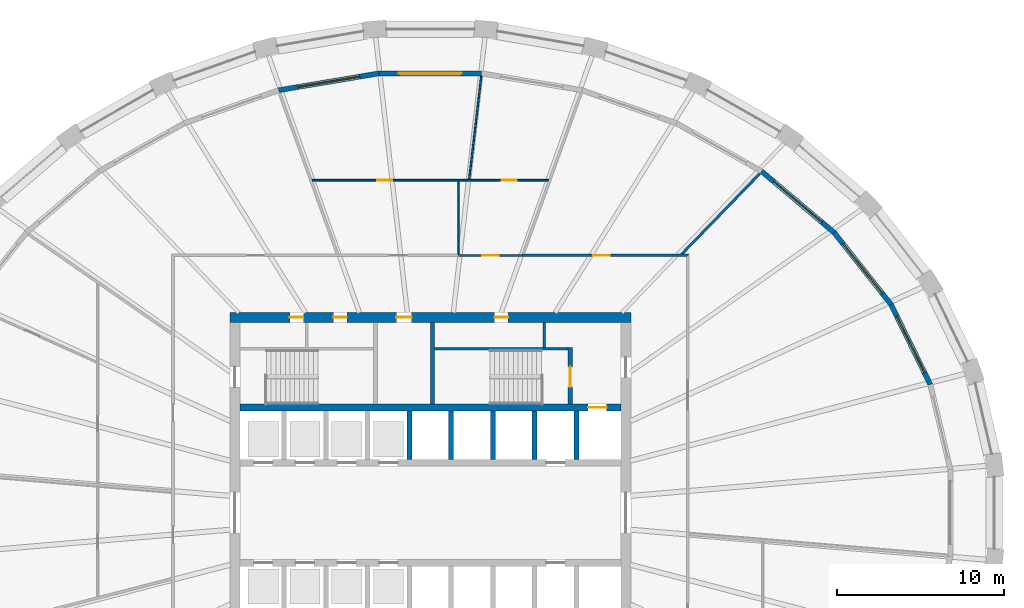
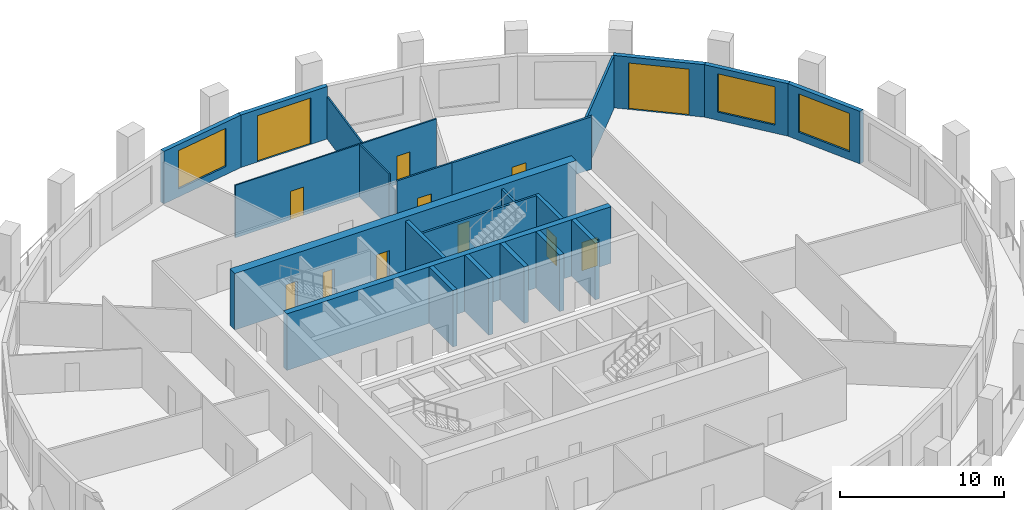
# One storey, part 6 of 10: 23 walls, 12 doors, 3 windows, 15 openings.
"""IFC4 building model written with IfcOpenShell, lengths in metres."""

from ifc_helpers import new_model, si_unit, direction, frame, frame_2d, origin, place, context, subcontext, project, spatial, polyline, rectangle, outline, extrude, material, layer, layer_set, type_object, element, fill, save


model = new_model("IFC4")

# Units and contexts
model_context = context("Model", 3, precision=1e-05, world=origin(), true_north=direction((0.0, 1.0)))
body_context = subcontext(model_context, "Body", "Model", "MODEL_VIEW")
ifc_project = project(units=[si_unit("LENGTHUNIT", "METRE"), si_unit("AREAUNIT", "SQUARE_METRE"), si_unit("VOLUMEUNIT", "CUBIC_METRE"), si_unit("PLANEANGLEUNIT", "RADIAN"), si_unit("MASSUNIT", "GRAM", prefix="KILO")], contexts=[model_context])

# Site, building, storey
site_placement = place(None, origin())
site = spatial("IfcSite", under=ifc_project, at=site_placement, CompositionType="ELEMENT")
building_placement = place(site_placement, origin())
building = spatial("IfcBuilding", under=site, at=building_placement, Name="Halqa Exchange Tower", CompositionType="ELEMENT")
storey_placement = place(building_placement, frame((0.0, 0.0, 159.10009765625)))
storey = spatial("IfcBuildingStorey", under=building, at=storey_placement, Name="L36", CompositionType="ELEMENT", Elevation=159.10009765625)

# Wall, opening, door
ifc_material_1 = material(Name="Fire-rated gypsum board")
ifc_layer_1 = layer(ifc_material_1, 0.14990234375)
ifc_layer_set_1 = layer_set([ifc_layer_1], Name="Fire-rated gypsum board")
wall_type_1 = type_object("IfcWallType", Name="Fire partition EI 60 150", PredefinedType="PARTITIONING", material=ifc_layer_set_1)
wall_1_placement = place(storey_placement, frame((5.530029296875, 15.39990234375, 0.0), z_axis=(0.0, 0.0, 1.0), x_axis=(1.0, 0.0, 0.0)))
wall_1 = element("IfcWall", 1, at=wall_1_placement, inside=storey, type_object=wall_type_1, Name="L36-PWL-020", PredefinedType="PARTITIONING", context=body_context, shape_type="SweptSolid", body=[
    extrude(outline(polyline([(0.0, -0.074951171875), (1.958984375, -0.074951171875), (3.91796875, -0.074951171875), (5.876953125, -0.074951171875), (7.8359375, -0.074951171875), (9.794921875, -0.074951171875), (9.94482421875, 0.074951171875), (7.955810546875, 0.074951171875), (5.966796875, 0.074951171875), (3.97802734375, 0.074951171875), (1.989013671875, 0.074951171875), (0.0, 0.074951171875), (0.0, -0.074951171875)])), origin(), (0.0, 0.0, 1.0), 3.89990234375),
])
opening_1_placement = place(wall_1_placement, frame((4.219970703125, 0.0, 0.0)))
opening_1 = element("IfcOpeningElement", 2, at=opening_1_placement, cuts=wall_1, Name="Opening 11-12", PredefinedType="OPENING", context=body_context, shape_type="SweptSolid", body=[
    extrude(rectangle(XDim=1.0, YDim=2.10009765625, at=frame_2d((0.5, 1.050048828125))), frame((0.0, 0.0869140625, 0.0), z_axis=(0.0, -1.0, 0.0), x_axis=(1.0, 0.0, 0.0)), (0.0, 0.0, 1.0), 0.173828125),
])
ifc_material_2 = material(Name="Steel fire door leaf", Category="steel")
door_type_1 = type_object("IfcDoorType", Name="Fire door FD30S 1000 x 2100", OperationType="SINGLE_SWING_LEFT", PredefinedType="DOOR", material=ifc_material_2)
door_1_placement = place(opening_1_placement, origin())
door_1 = element("IfcDoor", 3, at=door_1_placement, inside=storey, type_object=door_type_1, Name="L36-IDR-012", OperationType="SINGLE_SWING_RIGHT", OverallHeight=2.10009765625, OverallWidth=1.0, PredefinedType="DOOR", context=body_context, shape_type="SweptSolid", body=[
    extrude(rectangle(XDim=1.0, YDim=2.10009765625, at=frame_2d((0.5, 1.050048828125))), frame((0.0, 0.02490234375, 0.0), z_axis=(0.0, -1.0, 0.0), x_axis=(1.0, 0.0, 0.0)), (0.0, 0.0, 1.0), 0.050048828125),
])
fill(opening_1, door_1)

# Wall
wall_2_placement = place(storey_placement, frame((14.9921875, 15.423095703125, 0.0), z_axis=(0.0, 0.0, 1.0), x_axis=(0.696574400919, 0.71748456707, 0.0)))
element("IfcWall", 4, at=wall_2_placement, inside=storey, type_object=wall_type_1, Name="L36-PWL-021", PredefinedType="PARTITIONING", context=body_context, shape_type="SweptSolid", body=[
    extrude(outline(polyline([(0.0, 0.074951171875), (0.0, 0.074462890625), (0.14501953125, -0.074951171875), (1.8076171875, -0.074951171875), (3.47021484375, -0.074951171875), (5.132568359375, -0.074951171875), (6.795166015625, -0.074951171875), (6.795166015625, 0.074951171875), (5.096435546875, 0.074951171875), (3.3974609375, 0.074951171875), (1.69873046875, 0.074951171875), (0.0, 0.074951171875)])), origin(), (0.0, 0.0, 1.0), 3.89990234375),
])

# Wall, opening, door
ifc_material_3 = material(Name="Fire-rated glazing", Category="glass")
ifc_layer_2 = layer(ifc_material_3, 0.1201171875)
ifc_layer_set_2 = layer_set([ifc_layer_2], Name="Fire-rated glazing")
wall_type_2 = type_object("IfcWallType", Name="Glazed fire partition EI 60 120", PredefinedType="PARTITIONING", material=ifc_layer_set_2)
wall_3_placement = place(storey_placement, frame((1.679931640625, 15.39990234375, 0.0), z_axis=(0.0, 0.0, 1.0), x_axis=(1.0, 0.0, 0.0)))
wall_3 = element("IfcWall", 5, at=wall_3_placement, inside=storey, type_object=wall_type_2, Name="L36-PWL-016", PredefinedType="PARTITIONING", context=body_context, shape_type="SweptSolid", body=[
    extrude(rectangle(XDim=3.85009765625, YDim=0.1201171875, at=frame_2d((1.925048828125, 0.0))), origin(), (0.0, 0.0, 1.0), 3.89990234375),
])
opening_2_placement = place(wall_3_placement, frame((1.425048828125, 0.0, 0.0)))
opening_2 = element("IfcOpeningElement", 6, at=opening_2_placement, cuts=wall_3, Name="Opening 11-01", PredefinedType="OPENING", context=body_context, shape_type="SweptSolid", body=[
    extrude(rectangle(XDim=1.0, YDim=2.10009765625, at=frame_2d((0.5, 1.050048828125))), frame((0.0, 0.072021484375, 0.0), z_axis=(0.0, -1.0, 0.0), x_axis=(1.0, 0.0, 0.0)), (0.0, 0.0, 1.0), 0.14404296875),
])
door_2_placement = place(opening_2_placement, origin())
door_2 = element("IfcDoor", 7, at=door_2_placement, inside=storey, type_object=door_type_1, Name="L36-IDR-001", OperationType="SINGLE_SWING_LEFT", OverallHeight=2.10009765625, OverallWidth=1.0, PredefinedType="DOOR", context=body_context, shape_type="SweptSolid", body=[
    extrude(rectangle(XDim=1.0, YDim=2.10009765625, at=frame_2d((0.5, 1.050048828125))), frame((0.0, 0.02490234375, 0.0), z_axis=(0.0, -1.0, 0.0), x_axis=(1.0, 0.0, 0.0)), (0.0, 0.0, 1.0), 0.050048828125),
])
fill(opening_2, door_2)

# Wall, openings, doors
ifc_material_4 = material(Name="Gypsum board")
ifc_layer_3 = layer(ifc_material_4, 0.10009765625)
ifc_layer_set_3 = layer_set([ifc_layer_3], Name="Gypsum board")
wall_type_3 = type_object("IfcWallType", Name="Partition 100 gypsum", PredefinedType="PARTITIONING", material=ifc_layer_set_3)
wall_4_placement = place(storey_placement, frame((-7.08740234375, 19.89990234375, 0.0), z_axis=(0.0, 0.0, 1.0), x_axis=(1.0, 0.0, 0.0)))
wall_4 = element("IfcWall", 8, at=wall_4_placement, inside=storey, type_object=wall_type_3, Name="L36-PWL-013", PredefinedType="PARTITIONING", context=body_context, shape_type="SweptSolid", body=[
    extrude(outline(polyline([(0.03564453125, -0.050048828125), (1.77197265625, -0.050048828125), (3.50830078125, -0.050048828125), (5.24462890625, -0.050048828125), (6.98095703125, -0.050048828125), (8.71728515625, -0.050048828125), (8.71728515625, -0.0498046875), (8.8173828125, -0.0498046875), (8.8173828125, -0.050048828125), (10.59130859375, -0.050048828125), (12.365234375, -0.050048828125), (14.13916015625, -0.050048828125), (14.1748046875, 0.048583984375), (14.1748046875, 0.050048828125), (12.6044921875, 0.050048828125), (11.033935546875, 0.050048828125), (9.463623046875, 0.050048828125), (9.463623046875, 0.048828125), (9.45361328125, 0.050048828125), (7.56298828125, 0.050048828125), (5.672119140625, 0.050048828125), (3.781494140625, 0.050048828125), (1.890625, 0.050048828125), (0.0, 0.050048828125), (0.0, 0.048583984375), (0.03564453125, -0.050048828125)])), origin(), (0.0, 0.0, 1.0), 3.89990234375),
])
opening_3_placement = place(wall_4_placement, frame((3.902587890625, 0.0, 0.0)))
opening_3 = element("IfcOpeningElement", 9, at=opening_3_placement, cuts=wall_4, Name="Opening 11-13", PredefinedType="OPENING", context=body_context, shape_type="SweptSolid", body=[
    extrude(rectangle(XDim=0.89990234375, YDim=2.10009765625, at=frame_2d((0.449951171875, 1.050048828125))), frame((0.0, 0.06201171875, 0.0), z_axis=(0.0, -1.0, 0.0), x_axis=(1.0, 0.0, 0.0)), (0.0, 0.0, 1.0), 0.1240234375),
])
opening_4_placement = place(wall_4_placement, frame((11.37255859375, 0.0, 0.0)))
opening_4 = element("IfcOpeningElement", 10, at=opening_4_placement, cuts=wall_4, Name="Opening 11-14", PredefinedType="OPENING", context=body_context, shape_type="SweptSolid", body=[
    extrude(rectangle(XDim=0.89990234375, YDim=2.10009765625, at=frame_2d((0.449951171875, 1.050048828125))), frame((0.0, 0.06201171875, 0.0), z_axis=(0.0, -1.0, 0.0), x_axis=(1.0, 0.0, 0.0)), (0.0, 0.0, 1.0), 0.1240234375),
])
ifc_material_5 = material(Name="Timber door leaf", Category="wood")
door_type_2 = type_object("IfcDoorType", Name="Door 900 x 2100", OperationType="SINGLE_SWING_LEFT", PredefinedType="DOOR", material=ifc_material_5)
door_3_placement = place(opening_3_placement, frame((0.89990234375, 0.0, 0.0), z_axis=(0.0, 0.0, 1.0), x_axis=(-1.0, 0.0, 0.0)))
door_3 = element("IfcDoor", 11, at=door_3_placement, inside=storey, type_object=door_type_2, Name="L36-IDR-013", OperationType="SINGLE_SWING_LEFT", OverallHeight=2.10009765625, OverallWidth=0.89990234375, PredefinedType="DOOR", context=body_context, shape_type="SweptSolid", body=[
    extrude(rectangle(XDim=0.89990234375, YDim=2.10009765625, at=frame_2d((0.449951171875, 1.050048828125))), frame((0.0, 0.02490234375, 0.0), z_axis=(0.0, -1.0, 0.0), x_axis=(1.0, 0.0, 0.0)), (0.0, 0.0, 1.0), 0.050048828125),
])
fill(opening_3, door_3)
door_4_placement = place(opening_4_placement, frame((0.89990234375, 0.0, 0.0), z_axis=(0.0, 0.0, 1.0), x_axis=(-1.0, 0.0, 0.0)))
door_4 = element("IfcDoor", 12, at=door_4_placement, inside=storey, type_object=door_type_2, Name="L36-IDR-014", OperationType="SINGLE_SWING_RIGHT", OverallHeight=2.10009765625, OverallWidth=0.89990234375, PredefinedType="DOOR", context=body_context, shape_type="SweptSolid", body=[
    extrude(rectangle(XDim=0.89990234375, YDim=2.10009765625, at=frame_2d((0.449951171875, 1.050048828125))), frame((0.0, 0.02490234375, 0.0), z_axis=(0.0, -1.0, 0.0), x_axis=(1.0, 0.0, 0.0)), (0.0, 0.0, 1.0), 0.050048828125),
])
fill(opening_4, door_4)

# Walls
wall_5_placement = place(storey_placement, frame((1.679931640625, 15.46044921875, 0.0), z_axis=(0.0, 0.0, 1.0), x_axis=(0.0, 1.0, 0.0)))
element("IfcWall", 13, at=wall_5_placement, inside=storey, type_object=wall_type_3, Name="L36-PWL-015", PredefinedType="PARTITIONING", context=body_context, shape_type="SweptSolid", body=[
    extrude(outline(polyline([(0.776611328125, 0.050048828125), (0.0146484375, 0.050048828125), (0.0146484375, 0.0), (0.0, 0.0), (0.0, -0.050048828125), (0.776611328125, -0.050048828125), (0.776611328125, 0.050048828125)])), origin(), (0.0, 0.0, 1.0), 3.14697265625),
])
wall_6_placement = place(storey_placement, frame((2.3251953125, 19.944091796875, 0.0), z_axis=(0.0, 0.0, 1.0), x_axis=(0.116750504681, 0.993161275754, 0.0)))
element("IfcWall", 14, at=wall_6_placement, inside=storey, type_object=wall_type_3, Name="L36-PWL-017", PredefinedType="PARTITIONING", context=body_context, shape_type="SweptSolid", body=[
    extrude(outline(polyline([(6.244140625, -0.050048828125), (6.244140625, 0.027099609375), (6.241455078125, 0.050048828125), (4.68115234375, 0.050048828125), (3.120849609375, 0.050048828125), (1.560302734375, 0.050048828125), (0.0, 0.050048828125), (0.01171875, -0.050048828125), (1.56982421875, -0.050048828125), (3.1279296875, -0.050048828125), (4.68603515625, -0.050048828125), (6.244140625, -0.050048828125)])), origin(), (0.0, 0.0, 1.0), 3.14697265625),
])
wall_7_placement = place(storey_placement, frame((1.679931640625, 16.237060546875, 0.0), z_axis=(0.0, 0.0, 1.0), x_axis=(0.0, 1.0, 0.0)))
element("IfcWall", 15, at=wall_7_placement, inside=storey, type_object=wall_type_3, Name="L36-PWL-026", PredefinedType="PARTITIONING", context=body_context, shape_type="SweptSolid", body=[
    extrude(outline(polyline([(0.0, -0.050048828125), (1.806396484375, -0.050048828125), (3.613037109375, -0.050048828125), (3.613037109375, 0.050048828125), (1.806396484375, 0.050048828125), (0.0, 0.050048828125), (0.0, -0.050048828125)])), origin(), (0.0, 0.0, 1.0), 3.89990234375),
])
ifc_layer_4 = layer(ifc_material_4, 0.14990234375)
ifc_layer_set_4 = layer_set([ifc_layer_4], Name="Gypsum board")
wall_type_4 = type_object("IfcWallType", Name="Penthouse riser wall 150 gypsum", PredefinedType="PARTITIONING", material=ifc_layer_set_4)
wall_8_placement = place(storey_placement, frame((6.824951171875, 9.89990234375, 0.0), z_axis=(0.0, 0.0, 1.0), x_axis=(0.0, 1.0, 0.0)))
element("IfcWall", 16, at=wall_8_placement, inside=storey, type_object=wall_type_4, Name="Firefighting lobby west wall N", PredefinedType="PARTITIONING", context=body_context, shape_type="SweptSolid", body=[
    extrude(rectangle(XDim=1.5, YDim=0.14990234375, at=frame_2d((0.75, 0.0))), origin(), (0.0, 0.0, 1.0), 3.89990234375),
])
ifc_material_6 = material(Name="Concrete C60/75", Category="concrete")
ifc_layer_5 = layer(ifc_material_6, 0.300048828125)
ifc_layer_set_5 = layer_set([ifc_layer_5], Name="Concrete C60/75")
wall_type_5 = type_object("IfcWallType", Name="RC core wall 300", PredefinedType="SHEAR", material=ifc_layer_set_5)
for number, where, z_axis, x_axis, name in (
    (17, (-1.25, 3.199951171875, 0.0), (0.0, 0.0, 1.0), (0.0, 1.0, 0.0), "Shaft divider N4"),
    (18, (1.25, 3.199951171875, 0.0), (0.0, 0.0, 1.0), (0.0, 1.0, 0.0), "Shaft divider N5"),
    (19, (3.75, 3.199951171875, 0.0), (0.0, 0.0, 1.0), (0.0, 1.0, 0.0), "Shaft divider N6"),
    (20, (6.25, 3.199951171875, 0.0), (0.0, 0.0, 1.0), (0.0, 1.0, 0.0), "Shaft divider N7"),
    (21, (8.75, 3.199951171875, 0.0), (0.0, 0.0, 1.0), (0.0, 1.0, 0.0), "Shaft divider N8"),
):
    element("IfcWall", number, at=place(storey_placement, frame(where, z_axis=z_axis, x_axis=x_axis)), inside=storey, type_object=wall_type_5, Name=name, PredefinedType="SHEAR", context=body_context, shape_type="SweptSolid", body=[
        extrude(rectangle(XDim=2.900146484375, YDim=0.300048828125, at=frame_2d((1.4501953125, 0.0))), origin(), (0.0, 0.0, 1.0), 4.199951171875),
    ])

# Wall, opening, door
ifc_material_7 = material(Name="Concrete C70/85", Category="concrete")
ifc_layer_6 = layer(ifc_material_7, 0.39990234375)
ifc_layer_set_6 = layer_set([ifc_layer_6], Name="Concrete C70/85")
wall_type_6 = type_object("IfcWallType", Name="RC core wall 400 C70/85", PredefinedType="SHEAR", material=ifc_layer_set_6)
wall_9_placement = place(storey_placement, frame((-11.39990234375, 6.300048828125, 0.0), z_axis=(0.0, 0.0, 1.0), x_axis=(1.0, 0.0, 0.0)))
wall_9 = element("IfcWall", 22, at=wall_9_placement, inside=storey, type_object=wall_type_6, Name="Lift row back wall N", PredefinedType="SHEAR", context=body_context, shape_type="SweptSolid", body=[
    extrude(rectangle(XDim=22.7998046875, YDim=0.39990234375, at=frame_2d((11.39990234375, 0.0))), origin(), (0.0, 0.0, 1.0), 4.199951171875),
])
opening_5_placement = place(wall_9_placement, frame((20.85009765625, 0.0, 0.0)))
opening_5 = element("IfcOpeningElement", 23, at=opening_5_placement, cuts=wall_9, Name="Opening LD-FF1-T11", PredefinedType="OPENING", context=body_context, shape_type="SweptSolid", body=[
    extrude(rectangle(XDim=1.10009765625, YDim=2.10009765625, at=frame_2d((0.550048828125, 1.050048828125))), frame((0.0, 0.2119140625, 0.0), z_axis=(0.0, -1.0, 0.0), x_axis=(1.0, 0.0, 0.0)), (0.0, 0.0, 1.0), 0.423828125),
])
ifc_material_8 = material(Name="Stainless steel", Category="steel")
door_type_3 = type_object("IfcDoorType", Name="Lift landing door 1100 x 2100", OperationType="SLIDING_TO_LEFT", PredefinedType="DOOR", material=ifc_material_8)
door_5_placement = place(opening_5_placement, origin())
door_5 = element("IfcDoor", 24, at=door_5_placement, inside=storey, type_object=door_type_3, Name="Lift landing door FF1", OperationType="SLIDING_TO_LEFT", OverallHeight=2.10009765625, OverallWidth=1.10009765625, PredefinedType="DOOR", context=body_context, shape_type="SweptSolid", body=[
    extrude(rectangle(XDim=1.10009765625, YDim=2.10009765625, at=frame_2d((0.550048828125, 1.050048828125))), frame((0.0, 0.02490234375, 0.0), z_axis=(0.0, -1.0, 0.0), x_axis=(1.0, 0.0, 0.0)), (0.0, 0.0, 1.0), 0.050048828125),
])
fill(opening_5, door_5)

# Wall, openings, doors
ifc_layer_7 = layer(ifc_material_7, 0.60009765625)
ifc_layer_set_7 = layer_set([ifc_layer_7], Name="Concrete C70/85")
wall_type_7 = type_object("IfcWallType", Name="RC core wall 600 C70/85", PredefinedType="SHEAR", material=ifc_layer_set_7)
wall_10_placement = place(storey_placement, frame((-12.0, 11.699951171875, 0.0), z_axis=(0.0, 0.0, 1.0), x_axis=(1.0, 0.0, 0.0)))
wall_10 = element("IfcWall", 25, at=wall_10_placement, inside=storey, type_object=wall_type_7, Name="Core wall north", PredefinedType="SHEAR", context=body_context, shape_type="SweptSolid", body=[
    extrude(rectangle(XDim=24.0, YDim=0.60009765625, at=frame_2d((12.0, 0.0))), origin(), (0.0, 0.0, 1.0), 4.199951171875),
])
opening_6_placement = place(wall_10_placement, frame((9.97509765625, 0.0, 0.0)))
opening_6 = element("IfcOpeningElement", 26, at=opening_6_placement, cuts=wall_10, Name="Opening T11-C21", PredefinedType="OPENING", context=body_context, shape_type="SweptSolid", body=[
    extrude(rectangle(XDim=0.89990234375, YDim=2.10009765625, at=frame_2d((0.449951171875, 1.050048828125))), frame((0.0, 0.31201171875, 0.0), z_axis=(0.0, -1.0, 0.0), x_axis=(1.0, 0.0, 0.0)), (0.0, 0.0, 1.0), 0.6240234375),
])
opening_7_placement = place(wall_10_placement, frame((3.60009765625, 0.0, 0.0)))
opening_7 = element("IfcOpeningElement", 27, at=opening_7_placement, cuts=wall_10, Name="Opening T11-C22", PredefinedType="OPENING", context=body_context, shape_type="SweptSolid", body=[
    extrude(rectangle(XDim=0.800048828125, YDim=2.10009765625, at=frame_2d((0.39990234375, 1.050048828125))), frame((0.0, 0.31201171875, 0.0), z_axis=(0.0, -1.0, 0.0), x_axis=(1.0, 0.0, 0.0)), (0.0, 0.0, 1.0), 0.6240234375),
])
opening_8_placement = place(wall_10_placement, frame((6.199951171875, 0.0, 0.0)))
opening_8 = element("IfcOpeningElement", 28, at=opening_8_placement, cuts=wall_10, Name="Opening T11-C23", PredefinedType="OPENING", context=body_context, shape_type="SweptSolid", body=[
    extrude(rectangle(XDim=0.800048828125, YDim=2.10009765625, at=frame_2d((0.39990234375, 1.050048828125))), frame((0.0, 0.31201171875, 0.0), z_axis=(0.0, -1.0, 0.0), x_axis=(1.0, 0.0, 0.0)), (0.0, 0.0, 1.0), 0.6240234375),
])
opening_9_placement = place(wall_10_placement, frame((15.85009765625, 0.0, 0.0)))
opening_9 = element("IfcOpeningElement", 29, at=opening_9_placement, cuts=wall_10, Name="Opening T11-C24", PredefinedType="OPENING", context=body_context, shape_type="SweptSolid", body=[
    extrude(rectangle(XDim=0.800048828125, YDim=2.10009765625, at=frame_2d((0.39990234375, 1.050048828125))), frame((0.0, 0.31201171875, 0.0), z_axis=(0.0, -1.0, 0.0), x_axis=(1.0, 0.0, 0.0)), (0.0, 0.0, 1.0), 0.6240234375),
])
ifc_material_9 = material(Name="Timber fire door leaf", Category="wood")
door_type_4 = type_object("IfcDoorType", Name="Core room door FD30 900 x 2100", OperationType="SINGLE_SWING_LEFT", PredefinedType="DOOR", material=ifc_material_9)
door_6_placement = place(opening_6_placement, frame((0.89990234375, 0.0, 0.0), z_axis=(0.0, 0.0, 1.0), x_axis=(-1.0, 0.0, 0.0)))
door_6 = element("IfcDoor", 30, at=door_6_placement, inside=storey, type_object=door_type_4, Name="Core room door", OperationType="SINGLE_SWING_RIGHT", OverallHeight=2.10009765625, OverallWidth=0.89990234375, PredefinedType="DOOR", context=body_context, shape_type="SweptSolid", body=[
    extrude(rectangle(XDim=0.89990234375, YDim=2.10009765625, at=frame_2d((0.449951171875, 1.050048828125))), frame((0.0, 0.02490234375, 0.0), z_axis=(0.0, -1.0, 0.0), x_axis=(1.0, 0.0, 0.0)), (0.0, 0.0, 1.0), 0.050048828125),
])
fill(opening_6, door_6)
door_type_5 = type_object("IfcDoorType", Name="Riser door FD60 800 x 2100", OperationType="SINGLE_SWING_LEFT", PredefinedType="DOOR", material=ifc_material_2)
door_7_placement = place(opening_7_placement, frame((0.800048828125, 0.0, 0.0), z_axis=(0.0, 0.0, 1.0), x_axis=(-1.0, 0.0, 0.0)))
door_7 = element("IfcDoor", 31, at=door_7_placement, inside=storey, type_object=door_type_5, Name="Core room door", OperationType="SINGLE_SWING_RIGHT", OverallHeight=2.10009765625, OverallWidth=0.800048828125, PredefinedType="DOOR", context=body_context, shape_type="SweptSolid", body=[
    extrude(rectangle(XDim=0.800048828125, YDim=2.10009765625, at=frame_2d((0.39990234375, 1.050048828125))), frame((0.0, 0.02490234375, 0.0), z_axis=(0.0, -1.0, 0.0), x_axis=(1.0, 0.0, 0.0)), (0.0, 0.0, 1.0), 0.050048828125),
])
fill(opening_7, door_7)
door_8_placement = place(opening_8_placement, frame((0.800048828125, 0.0, 0.0), z_axis=(0.0, 0.0, 1.0), x_axis=(-1.0, 0.0, 0.0)))
door_8 = element("IfcDoor", 32, at=door_8_placement, inside=storey, type_object=door_type_5, Name="Core room door", OperationType="SINGLE_SWING_RIGHT", OverallHeight=2.10009765625, OverallWidth=0.800048828125, PredefinedType="DOOR", context=body_context, shape_type="SweptSolid", body=[
    extrude(rectangle(XDim=0.800048828125, YDim=2.10009765625, at=frame_2d((0.39990234375, 1.050048828125))), frame((0.0, 0.02490234375, 0.0), z_axis=(0.0, -1.0, 0.0), x_axis=(1.0, 0.0, 0.0)), (0.0, 0.0, 1.0), 0.050048828125),
])
fill(opening_8, door_8)
door_9_placement = place(opening_9_placement, frame((0.800048828125, 0.0, 0.0), z_axis=(0.0, 0.0, 1.0), x_axis=(-1.0, 0.0, 0.0)))
door_9 = element("IfcDoor", 33, at=door_9_placement, inside=storey, type_object=door_type_5, Name="Core room door", OperationType="SINGLE_SWING_RIGHT", OverallHeight=2.10009765625, OverallWidth=0.800048828125, PredefinedType="DOOR", context=body_context, shape_type="SweptSolid", body=[
    extrude(rectangle(XDim=0.800048828125, YDim=2.10009765625, at=frame_2d((0.39990234375, 1.050048828125))), frame((0.0, 0.02490234375, 0.0), z_axis=(0.0, -1.0, 0.0), x_axis=(1.0, 0.0, 0.0)), (0.0, 0.0, 1.0), 0.050048828125),
])
fill(opening_9, door_9)

# Walls
ifc_material_10 = material(Name="Concrete C30/37", Category="concrete")
ifc_layer_8 = layer(ifc_material_10, 0.14990234375)
ifc_layer_set_8 = layer_set([ifc_layer_8], Name="Concrete C30/37")
wall_type_8 = type_object("IfcWallType", Name="RC stair wall 150 C30/37", PredefinedType="SHEAR", material=ifc_layer_set_8)
wall_11_placement = place(storey_placement, frame((0.25, 9.824951171875, 0.0), z_axis=(0.0, 0.0, 1.0), x_axis=(1.0, 0.0, 0.0)))
element("IfcWall", 34, at=wall_11_placement, inside=storey, type_object=wall_type_8, Name="Stair ST2 north wall N", PredefinedType="SHEAR", context=body_context, shape_type="SweptSolid", body=[
    extrude(rectangle(XDim=8.0, YDim=0.14990234375, at=frame_2d((4.0, 0.0))), origin(), (0.0, 0.0, 1.0), 3.89990234375),
])
ifc_layer_9 = layer(ifc_material_10, 0.25)
ifc_layer_set_9 = layer_set([ifc_layer_9], Name="Concrete C30/37")
wall_type_9 = type_object("IfcWallType", Name="RC stair wall 250 C30/37", PredefinedType="SHEAR", material=ifc_layer_set_9)
wall_12_placement = place(storey_placement, frame((0.125, 6.5, 0.0), z_axis=(0.0, 0.0, 1.0), x_axis=(0.0, 1.0, 0.0)))
element("IfcWall", 35, at=wall_12_placement, inside=storey, type_object=wall_type_9, Name="Stair ST2 west wall N", PredefinedType="SHEAR", context=body_context, shape_type="SweptSolid", body=[
    extrude(rectangle(XDim=4.89990234375, YDim=0.25, at=frame_2d((2.449951171875, 0.0))), origin(), (0.0, 0.0, 1.0), 3.89990234375),
])

# Wall, opening, door
wall_13_placement = place(storey_placement, frame((8.375, 6.5, 0.0), z_axis=(0.0, 0.0, 1.0), x_axis=(0.0, 1.0, 0.0)))
wall_13 = element("IfcWall", 36, at=wall_13_placement, inside=storey, type_object=wall_type_9, Name="Stair ST2 east wall N", PredefinedType="SHEAR", context=body_context, shape_type="SweptSolid", body=[
    extrude(rectangle(XDim=3.39990234375, YDim=0.25, at=frame_2d((1.699951171875, 0.0))), origin(), (0.0, 0.0, 1.0), 3.89990234375),
])
opening_10_placement = place(wall_13_placement, frame((1.02490234375, 0.0, 0.0)))
opening_10 = element("IfcOpeningElement", 37, at=opening_10_placement, cuts=wall_13, Name="Opening T11-C16", PredefinedType="OPENING", context=body_context, shape_type="SweptSolid", body=[
    extrude(rectangle(XDim=1.199951171875, YDim=2.10009765625, at=frame_2d((0.60009765625, 1.050048828125))), frame((0.0, 0.136962890625, 0.0), z_axis=(0.0, -1.0, 0.0), x_axis=(1.0, 0.0, 0.0)), (0.0, 0.0, 1.0), 0.27392578125),
])
door_type_6 = type_object("IfcDoorType", Name="Stair door FD90 1200 x 2100", OperationType="SINGLE_SWING_LEFT", PredefinedType="DOOR", material=ifc_material_2)
door_10_placement = place(opening_10_placement, origin())
door_10 = element("IfcDoor", 38, at=door_10_placement, inside=storey, type_object=door_type_6, Name="Stair door ST2", OperationType="SINGLE_SWING_LEFT", OverallHeight=2.10009765625, OverallWidth=1.199951171875, PredefinedType="DOOR", context=body_context, shape_type="SweptSolid", body=[
    extrude(rectangle(XDim=1.199951171875, YDim=2.10009765625, at=frame_2d((0.60009765625, 1.050048828125))), frame((0.0, 0.02490234375, 0.0), z_axis=(0.0, -1.0, 0.0), x_axis=(1.0, 0.0, 0.0)), (0.0, 0.0, 1.0), 0.050048828125),
])
fill(opening_10, door_10)

# Wall, opening, window
ifc_material_11 = material(Name="Limestone cladding", Category="masonry")
ifc_layer_10 = layer(ifc_material_11, 0.0400390625)
ifc_material_12 = material(Name="Ventilated cavity")
ifc_layer_11 = layer(ifc_material_12, 0.030029296875, ventilated=True)
ifc_material_13 = material(Name="Mineral wool insulation")
ifc_layer_12 = layer(ifc_material_13, 0.10009765625)
ifc_layer_13 = layer(ifc_material_10, 0.10009765625)
ifc_material_14 = material(Name="Internal plaster")
ifc_layer_14 = layer(ifc_material_14, 0.030029296875)
ifc_layer_set_10 = layer_set([ifc_layer_10, ifc_layer_11, ifc_layer_12, ifc_layer_13, ifc_layer_14], Name="Stone-faced insulated wall 300")
wall_type_10 = type_object("IfcWallType", Name="Stone-faced insulated wall 300", PredefinedType="STANDARD", material=ifc_layer_set_10)
wall_14_placement = place(storey_placement, frame((29.923095703125, 7.67822265625, 0.0), z_axis=(0.0, 0.0, 1.0), x_axis=(-0.440444485575, 0.897779847806, 0.0)))
wall_14 = element("IfcWall", 39, at=wall_14_placement, inside=storey, type_object=wall_type_10, Name="Glass-line wall 2", PredefinedType="STANDARD", context=body_context, shape_type="SweptSolid", body=[
    extrude(outline(polyline([(-0.016845703125, -0.14990234375), (5.349609375, -0.14990234375), (5.3173828125, 0.14990234375), (0.016845703125, 0.14990234375), (-0.016845703125, -0.14990234375)])), origin(), (0.0, 0.0, 1.0), 3.89990234375),
])
opening_11_placement = place(wall_14_placement, frame((0.791748046875, 0.0, 0.60009765625)))
opening_11 = element("IfcOpeningElement", 40, at=opening_11_placement, cuts=wall_14, Name="Opening W-F2-02", PredefinedType="OPENING", context=body_context, shape_type="SweptSolid", body=[
    extrude(rectangle(XDim=3.75, YDim=2.85009765625, at=frame_2d((1.875, 1.425048828125))), frame((0.0, 0.162109375, 0.0), z_axis=(0.0, -1.0, 0.0), x_axis=(1.0, 0.0, 0.0)), (0.0, 0.0, 1.0), 0.323974609375),
])
ifc_material_15 = material(Name="Clear low-emissivity glass in aluminium frame", Category="aluminium")
window_type = type_object("IfcWindowType", Name="Fixed clear glazed window 3750 x 2850", PartitioningType="TRIPLE_PANEL_VERTICAL", PredefinedType="WINDOW", material=ifc_material_15)
window_1_placement = place(opening_11_placement, origin())
window_1 = element("IfcWindow", 41, at=window_1_placement, inside=storey, type_object=window_type, Name="Window 2", OverallHeight=2.85009765625, OverallWidth=3.75, PartitioningType="TRIPLE_PANEL_VERTICAL", PredefinedType="WINDOW", context=body_context, shape_type="SweptSolid", body=[
    extrude(rectangle(XDim=3.75, YDim=2.85009765625, at=frame_2d((1.875, 1.425048828125))), frame((0.0, 0.030029296875, 0.0), z_axis=(0.0, -1.0, 0.0), x_axis=(1.0, 0.0, 0.0)), (0.0, 0.0, 1.0), 0.06005859375),
])
fill(opening_11, window_1)

wall_15_placement = place(storey_placement, frame((27.573974609375, 12.466552734375, 0.0), z_axis=(0.0, 0.0, 1.0), x_axis=(-0.620577705153, 0.784144955902, 0.0)))
wall_15 = element("IfcWall", 42, at=wall_15_placement, inside=storey, type_object=wall_type_10, Name="Glass-line wall 3", PredefinedType="STANDARD", context=body_context, shape_type="SweptSolid", body=[
    extrude(outline(polyline([(-0.01611328125, -0.14990234375), (5.5078125, -0.14990234375), (5.4775390625, 0.14990234375), (0.01611328125, 0.14990234375), (-0.01611328125, -0.14990234375)])), origin(), (0.0, 0.0, 1.0), 3.89990234375),
])
opening_12_placement = place(wall_15_placement, frame((0.871337890625, 0.0, 0.60009765625)))
opening_12 = element("IfcOpeningElement", 43, at=opening_12_placement, cuts=wall_15, Name="Opening W-F2-03", PredefinedType="OPENING", context=body_context, shape_type="SweptSolid", body=[
    extrude(rectangle(XDim=3.75, YDim=2.85009765625, at=frame_2d((1.875, 1.425048828125))), frame((0.0, 0.162109375, 0.0), z_axis=(0.0, -1.0, 0.0), x_axis=(1.0, 0.0, 0.0)), (0.0, 0.0, 1.0), 0.323974609375),
])
window_2_placement = place(opening_12_placement, origin())
window_2 = element("IfcWindow", 44, at=window_2_placement, inside=storey, type_object=window_type, Name="Window 2", OverallHeight=2.85009765625, OverallWidth=3.75, PartitioningType="TRIPLE_PANEL_VERTICAL", PredefinedType="WINDOW", context=body_context, shape_type="SweptSolid", body=[
    extrude(rectangle(XDim=3.75, YDim=2.85009765625, at=frame_2d((1.875, 1.425048828125))), frame((0.0, 0.030029296875, 0.0), z_axis=(0.0, -1.0, 0.0), x_axis=(1.0, 0.0, 0.0)), (0.0, 0.0, 1.0), 0.06005859375),
])
fill(opening_12, window_2)

# Wall, opening, door
wall_16_placement = place(storey_placement, frame((24.165283203125, 16.773681640625, 0.0), z_axis=(0.0, 0.0, 1.0), x_axis=(-0.764076096085, 0.645126126732, 0.0)))
wall_16 = element("IfcWall", 45, at=wall_16_placement, inside=storey, type_object=wall_type_10, Name="Glass-line wall 4", PredefinedType="STANDARD", context=body_context, shape_type="SweptSolid", body=[
    extrude(outline(polyline([(-0.01513671875, -0.14990234375), (5.689208984375, -0.14990234375), (5.660888671875, 0.14990234375), (0.01513671875, 0.14990234375), (-0.01513671875, -0.14990234375)])), origin(), (0.0, 0.0, 1.0), 3.89990234375),
])
opening_13_placement = place(wall_16_placement, frame((0.96240234375, 0.0, 0.0)))
opening_13 = element("IfcOpeningElement", 46, at=opening_13_placement, cuts=wall_16, Name="Opening LG-F2-01", PredefinedType="OPENING", context=body_context, shape_type="SweptSolid", body=[
    extrude(rectangle(XDim=3.75, YDim=3.449951171875, at=frame_2d((1.875, 1.72509765625))), frame((0.0, 0.162109375, 0.0), z_axis=(0.0, -1.0, 0.0), x_axis=(1.0, 0.0, 0.0)), (0.0, 0.0, 1.0), 0.323974609375),
])
door_type_7 = type_object("IfcDoorType", Name="Glazed sliding loggia door 3750 x 3450", OperationType="DOUBLE_DOOR_SLIDING", PredefinedType="DOOR", material=ifc_material_15)
door_11_placement = place(opening_13_placement, origin())
door_11 = element("IfcDoor", 47, at=door_11_placement, inside=storey, type_object=door_type_7, Name="Loggia door 1", OperationType="DOUBLE_DOOR_SLIDING", OverallHeight=3.449951171875, OverallWidth=3.75, PredefinedType="DOOR", context=body_context, shape_type="SweptSolid", body=[
    extrude(rectangle(XDim=3.75, YDim=3.449951171875, at=frame_2d((1.875, 1.72509765625))), frame((0.0, 0.02490234375, 0.0), z_axis=(0.0, -1.0, 0.0), x_axis=(1.0, 0.0, 0.0)), (0.0, 0.0, 1.0), 0.050048828125),
])
fill(opening_13, door_11)

wall_17_placement = place(storey_placement, frame((3.06298828125, 26.298583984375, 0.0), z_axis=(0.0, 0.0, 1.0), x_axis=(-1.0, 0.0, 0.0)))
wall_17 = element("IfcWall", 48, at=wall_17_placement, inside=storey, type_object=wall_type_10, Name="Glass-line wall 8", PredefinedType="STANDARD", context=body_context, shape_type="SweptSolid", body=[
    extrude(outline(polyline([(-0.012451171875, -0.14990234375), (6.138427734375, -0.14990234375), (6.113525390625, 0.14990234375), (0.012451171875, 0.14990234375), (-0.012451171875, -0.14990234375)])), origin(), (0.0, 0.0, 1.0), 3.89990234375),
])
opening_14_placement = place(wall_17_placement, frame((1.18798828125, 0.0, 0.0)))
opening_14 = element("IfcOpeningElement", 49, at=opening_14_placement, cuts=wall_17, Name="Opening LG-F2-02", PredefinedType="OPENING", context=body_context, shape_type="SweptSolid", body=[
    extrude(rectangle(XDim=3.75, YDim=3.449951171875, at=frame_2d((1.875, 1.72509765625))), frame((0.0, 0.162109375, 0.0), z_axis=(0.0, -1.0, 0.0), x_axis=(1.0, 0.0, 0.0)), (0.0, 0.0, 1.0), 0.323974609375),
])
door_12_placement = place(opening_14_placement, origin())
door_12 = element("IfcDoor", 50, at=door_12_placement, inside=storey, type_object=door_type_7, Name="Loggia door 2", OperationType="DOUBLE_DOOR_SLIDING", OverallHeight=3.449951171875, OverallWidth=3.75, PredefinedType="DOOR", context=body_context, shape_type="SweptSolid", body=[
    extrude(rectangle(XDim=3.75, YDim=3.449951171875, at=frame_2d((1.875, 1.72509765625))), frame((0.0, 0.02490234375, 0.0), z_axis=(0.0, -1.0, 0.0), x_axis=(1.0, 0.0, 0.0)), (0.0, 0.0, 1.0), 0.050048828125),
])
fill(opening_14, door_12)

# Wall, opening, window
wall_18_placement = place(storey_placement, frame((-3.06298828125, 26.298583984375, 0.0), z_axis=(0.0, 0.0, 1.0), x_axis=(-0.98618955457, -0.165620537547, 0.0)))
wall_18 = element("IfcWall", 51, at=wall_18_placement, inside=storey, type_object=wall_type_10, Name="Glass-line wall 9", PredefinedType="STANDARD", context=body_context, shape_type="SweptSolid", body=[
    extrude(outline(polyline([(-0.012451171875, -0.14990234375), (6.105224609375, -0.14990234375), (6.079833984375, 0.14990234375), (0.012451171875, 0.14990234375), (-0.012451171875, -0.14990234375)])), origin(), (0.0, 0.0, 1.0), 3.89990234375),
])
opening_15_placement = place(wall_18_placement, frame((1.17138671875, 0.0, 0.60009765625)))
opening_15 = element("IfcOpeningElement", 52, at=opening_15_placement, cuts=wall_18, Name="Opening W-F2-09", PredefinedType="OPENING", context=body_context, shape_type="SweptSolid", body=[
    extrude(rectangle(XDim=3.75, YDim=2.85009765625, at=frame_2d((1.875, 1.425048828125))), frame((0.0, 0.162109375, 0.0), z_axis=(0.0, -1.0, 0.0), x_axis=(1.0, 0.0, 0.0)), (0.0, 0.0, 1.0), 0.323974609375),
])
window_3_placement = place(opening_15_placement, origin())
window_3 = element("IfcWindow", 53, at=window_3_placement, inside=storey, type_object=window_type, Name="Window 2", OverallHeight=2.85009765625, OverallWidth=3.75, PartitioningType="TRIPLE_PANEL_VERTICAL", PredefinedType="WINDOW", context=body_context, shape_type="SweptSolid", body=[
    extrude(rectangle(XDim=3.75, YDim=2.85009765625, at=frame_2d((1.875, 1.425048828125))), frame((0.0, 0.030029296875, 0.0), z_axis=(0.0, -1.0, 0.0), x_axis=(1.0, 0.0, 0.0)), (0.0, 0.0, 1.0), 0.06005859375),
])
fill(opening_15, window_3)

save(model, "model.ifc")
